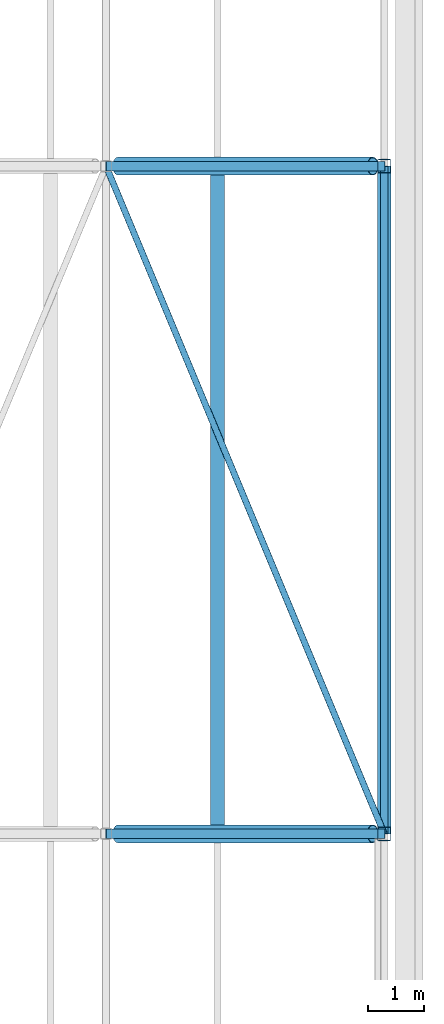
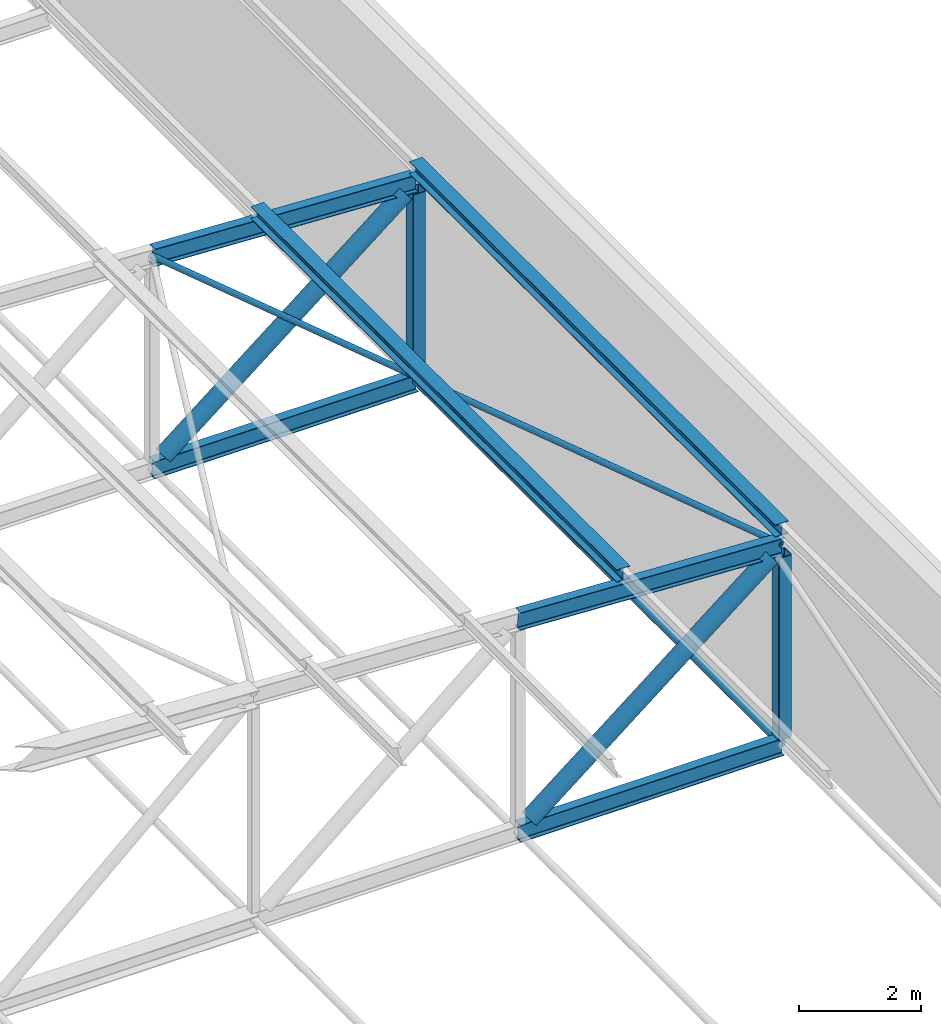
# One storey, part 49 of 156: 12 members.
"""IFC4 building model written with IfcOpenShell, lengths in metres."""

from ifc_helpers import new_model, si_unit, direction, frame, origin, origin_2d, place, context, subcontext, project, spatial, hollow_rectangle, hollow_circle, i_section, extrude, material, material_profile, profile_set, type_object, element, save


model = new_model("IFC4")

# Units and contexts
model_context = context("Model", 3, precision=1e-05, world=origin(), true_north=direction((0.0, 1.0)))
body_context = subcontext(model_context, "Body", "Model", "MODEL_VIEW")
ifc_project = project(units=[si_unit("LENGTHUNIT", "METRE"), si_unit("AREAUNIT", "SQUARE_METRE"), si_unit("VOLUMEUNIT", "CUBIC_METRE"), si_unit("PLANEANGLEUNIT", "RADIAN"), si_unit("MASSUNIT", "GRAM", prefix="KILO")], contexts=[model_context])

# Site, building, storey
site_placement = place(None, origin())
site = spatial("IfcSite", under=ifc_project, at=site_placement, CompositionType="ELEMENT")
building_placement = place(site_placement, origin())
building = spatial("IfcBuilding", under=site, at=building_placement, Name="Lilac Gate Convention Centre", CompositionType="ELEMENT")
storey_placement = place(building_placement, frame((0.0, 0.0, 17.0)))
storey = spatial("IfcBuildingStorey", under=building, at=storey_placement, Name="L03", CompositionType="ELEMENT", Elevation=17.0)

# Members
ifc_material = material(Name="Steel Q355B", Category="steel")
ifc_material_profile_1 = material_profile(ifc_material, hollow_circle(Radius=0.06982421875, WallThickness=0.0048828125, at=origin_2d()), Name="CHS139.7x5")
ifc_profile_set_1 = profile_set([ifc_material_profile_1], Name="Steel Q355B")
member_type_1 = type_object("IfcMemberType", Name="Bottom chord tie CHS139.7x5", PredefinedType="STRUT", material=ifc_profile_set_1)
member_1_placement = place(storey_placement, frame((90.0, 78.00341796875, 0.0), z_axis=(0.0, 1.0, 0.0), x_axis=(-1.0, 0.0, 0.0)))
element("IfcMember", 1, at=member_1_placement, inside=storey, type_object=member_type_1, Name="ST1 tie bay 5 node 13", PredefinedType="STRUT", context=body_context, shape_type="SweptSolid", body=[
    extrude(hollow_circle(Radius=0.06982421875, WallThickness=0.0048828125, at=origin_2d()), origin(), (0.0, 0.0, 1.0), 11.9931640625),
])
ifc_material_profile_2 = material_profile(ifc_material, hollow_circle(Radius=0.05712890625, WallThickness=0.0048828125, at=origin_2d()), Name="CHS114.3x5")
ifc_profile_set_2 = profile_set([ifc_material_profile_2], Name="Steel Q355B")
member_type_2 = type_object("IfcMemberType", Name="Roof plane bracing CHS114.3x5", PredefinedType="BRACE", material=ifc_profile_set_2)
member_2_placement = place(storey_placement, frame((85.00146484375, 89.99658203125, 4.25), z_axis=(0.384538867181, -0.922908311091, -0.019238215751), x_axis=(0.923079146825, 0.384610047578, 0.0)))
element("IfcMember", 2, at=member_2_placement, inside=storey, type_object=member_type_2, Name="BR1 plan bracing bay 5 panel 12", PredefinedType="BRACE", context=body_context, shape_type="SweptSolid", body=[
    extrude(hollow_circle(Radius=0.05712890625, WallThickness=0.0048828125, at=origin_2d()), origin(), (0.0, 0.0, 1.0), 12.994873046875),
])
ifc_material_profile_3 = material_profile(ifc_material, i_section(OverallWidth=0.25, OverallDepth=0.25, WebThickness=0.009033203125, FlangeThickness=0.013916015625, FilletRadius=0.012939453125, at=origin_2d()), Name="HW250x250x9x14")
ifc_profile_set_3 = profile_set([ifc_material_profile_3], Name="Steel Q355B")
member_type_3 = type_object("IfcMemberType", Name="Roof purlin HW250x250x9x14", PredefinedType="PURLIN", material=ifc_profile_set_3)
for number, where, z_axis, x_axis, name in (
    (3, (87.0, 78.0, 4.4501953125), (0.0, 1.0, 0.0), (-1.0, 0.0, 0.0), "PU1 purlin bay 5 line 20"),
    (4, (90.0, 78.0, 4.30029296875), (0.0, 1.0, 0.0), (-1.0, 0.0, 0.0), "PU1 purlin bay 5 line 21"),
):
    element("IfcMember", number, at=place(storey_placement, frame(where, z_axis=z_axis, x_axis=x_axis)), inside=storey, type_object=member_type_3, Name=name, PredefinedType="PURLIN", context=body_context, shape_type="SweptSolid", body=[
        extrude(i_section(OverallWidth=0.25, OverallDepth=0.25, WebThickness=0.009033203125, FlangeThickness=0.013916015625, FilletRadius=0.012939453125, at=origin_2d()), origin(), (0.0, 0.0, 1.0), 12.0),
    ])
ifc_material_profile_4 = material_profile(ifc_material, i_section(OverallWidth=0.175048828125, OverallDepth=0.35009765625, WebThickness=0.007080078125, FlangeThickness=0.010986328125, FilletRadius=0.012939453125, at=origin_2d()), Name="HN350x175x7x11")
ifc_profile_set_4 = profile_set([ifc_material_profile_4], Name="Steel Q355B")
member_type_4 = type_object("IfcMemberType", Name="Truss bottom chord HN350x175x7x11", PredefinedType="CHORD", material=ifc_profile_set_4)
for number, where, z_axis, x_axis, name in (
    (5, (85.0, 78.0, 0.0), (1.0, 0.0, 0.0), (0.0, 1.0, 0.0), "TB1 truss 5 bottom chord 12"),
    (6, (85.0, 90.0, 0.0), (1.0, 0.0, 0.0), (0.0, 1.0, 0.0), "TB1 truss 6 bottom chord 12"),
):
    element("IfcMember", number, at=place(storey_placement, frame(where, z_axis=z_axis, x_axis=x_axis)), inside=storey, type_object=member_type_4, Name=name, PredefinedType="CHORD", context=body_context, shape_type="SweptSolid", body=[
        extrude(i_section(OverallWidth=0.175048828125, OverallDepth=0.35009765625, WebThickness=0.007080078125, FlangeThickness=0.010986328125, FilletRadius=0.012939453125, at=origin_2d()), origin(), (0.0, 0.0, 1.0), 5.0),
    ])
ifc_material_profile_5 = material_profile(ifc_material, hollow_circle(Radius=0.161865234375, WallThickness=0.011962890625, at=origin_2d()), Name="CHS323.9x12")
ifc_profile_set_5 = profile_set([ifc_material_profile_5], Name="Steel Q355B")
member_type_5 = type_object("IfcMemberType", Name="Truss diagonal CHS323.9x12", PredefinedType="BRACE", material=ifc_profile_set_5)
for number, where, z_axis, x_axis, name in (
    (7, (89.794677734375, 78.0, 3.835693359375), (-0.780876938611, 0.0, -0.624684885959), (0.0, -1.0, 0.0), "TW1 truss 5 diagonal 12"),
    (8, (89.794677734375, 90.0, 3.835693359375), (-0.780876938611, 0.0, -0.624684885959), (0.0, -1.0, 0.0), "TW1 truss 6 diagonal 12"),
):
    element("IfcMember", number, at=place(storey_placement, frame(where, z_axis=z_axis, x_axis=x_axis)), inside=storey, type_object=member_type_5, Name=name, PredefinedType="BRACE", context=body_context, shape_type="SweptSolid", body=[
        extrude(hollow_circle(Radius=0.161865234375, WallThickness=0.011962890625, at=origin_2d()), origin(), (0.0, 0.0, 1.0), 5.860107421875),
    ])
ifc_material_profile_6 = material_profile(ifc_material, i_section(OverallWidth=0.175048828125, OverallDepth=0.35009765625, WebThickness=0.007080078125, FlangeThickness=0.010986328125, FilletRadius=0.012939453125, at=origin_2d()), Name="HN350x175x7x11")
ifc_profile_set_6 = profile_set([ifc_material_profile_6], Name="Steel Q355B")
member_type_6 = type_object("IfcMemberType", Name="Truss top chord HN350x175x7x11", PredefinedType="CHORD", material=ifc_profile_set_6)
for number, where, z_axis, x_axis, name in (
    (9, (85.0, 78.0, 4.25), (0.998752338878, 0.0, -0.049937616944), (0.0, 1.0, 0.0), "TT1 truss 5 top chord 12"),
    (10, (85.0, 90.0, 4.25), (0.998752338878, 0.0, -0.049937616944), (0.0, 1.0, 0.0), "TT1 truss 6 top chord 12"),
):
    element("IfcMember", number, at=place(storey_placement, frame(where, z_axis=z_axis, x_axis=x_axis)), inside=storey, type_object=member_type_6, Name=name, PredefinedType="CHORD", context=body_context, shape_type="SweptSolid", body=[
        extrude(i_section(OverallWidth=0.175048828125, OverallDepth=0.35009765625, WebThickness=0.007080078125, FlangeThickness=0.010986328125, FilletRadius=0.012939453125, at=origin_2d()), origin(), (0.0, 0.0, 1.0), 5.00634765625),
    ])
ifc_material_profile_7 = material_profile(ifc_material, hollow_rectangle(XDim=0.25, YDim=0.25, WallThickness=0.010009765625, InnerFilletRadius=0.014892578125, OuterFilletRadius=0.02490234375, at=origin_2d()), Name="SHS250x250x10")
ifc_profile_set_7 = profile_set([ifc_material_profile_7], Name="Steel Q355B")
member_type_7 = type_object("IfcMemberType", Name="Truss vertical SHS250x250x10", PredefinedType="STRUT", material=ifc_profile_set_7)
for number, where, z_axis, x_axis, name in (
    (11, (90.0, 78.0, 0.175048828125), (0.0, 0.0, 1.0), (1.0, 0.0, 0.0), "TV1 truss 5 vertical 13"),
    (12, (90.0, 90.0, 0.175048828125), (0.0, 0.0, 1.0), (1.0, 0.0, 0.0), "TV1 truss 6 vertical 13"),
):
    element("IfcMember", number, at=place(storey_placement, frame(where, z_axis=z_axis, x_axis=x_axis)), inside=storey, type_object=member_type_7, Name=name, PredefinedType="STRUT", context=body_context, shape_type="SweptSolid", body=[
        extrude(hollow_rectangle(XDim=0.25, YDim=0.25, WallThickness=0.010009765625, InnerFilletRadius=0.014892578125, OuterFilletRadius=0.02490234375, at=origin_2d()), origin(), (0.0, 0.0, 1.0), 3.649658203125),
    ])

save(model, "model.ifc")
